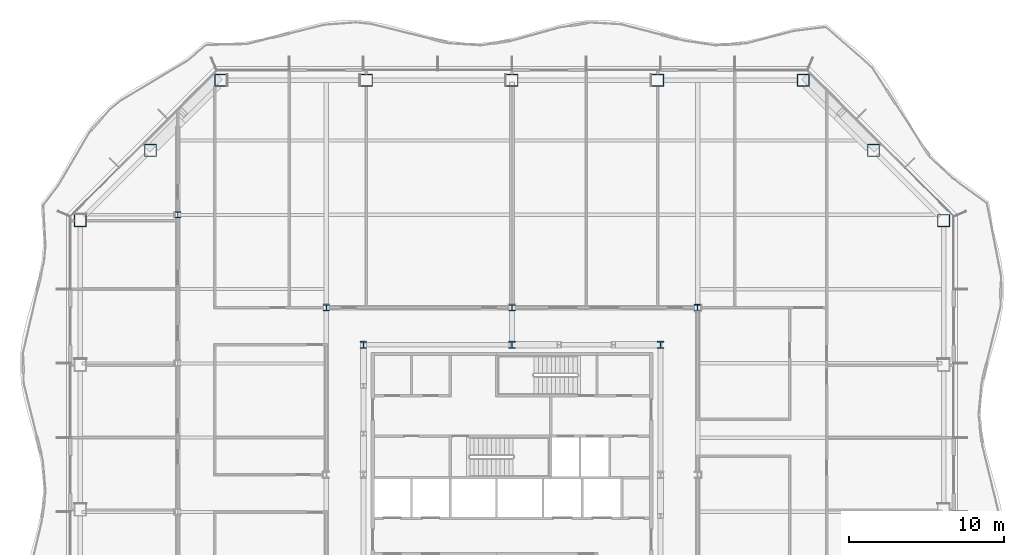
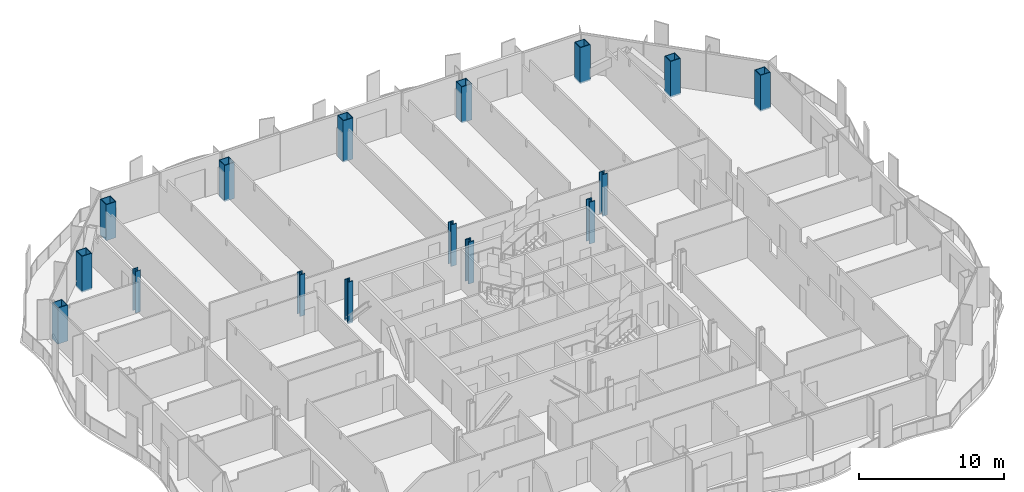
# One storey, part 2 of 23: 16 columns.
"""IFC4 building model written with IfcOpenShell, lengths in metres."""

from ifc_helpers import new_model, si_unit, direction, frame, origin, origin_2d, place, context, subcontext, project, spatial, hollow_rectangle, i_section, extrude, clip, halfspace, material, material_profile, profile_set, type_object, element, save


model = new_model("IFC4")

# Units and contexts
model_context = context("Model", 3, precision=1e-05, world=origin(), true_north=direction((0.0, 1.0)))
body_context = subcontext(model_context, "Body", "Model", "MODEL_VIEW")
ifc_project = project(units=[si_unit("LENGTHUNIT", "METRE"), si_unit("AREAUNIT", "SQUARE_METRE"), si_unit("VOLUMEUNIT", "CUBIC_METRE"), si_unit("PLANEANGLEUNIT", "RADIAN"), si_unit("MASSUNIT", "GRAM", prefix="KILO")], contexts=[model_context])

# Site, building, storey
site_placement = place(None, origin())
site = spatial("IfcSite", under=ifc_project, at=site_placement, CompositionType="ELEMENT")
building_placement = place(site_placement, origin())
building = spatial("IfcBuilding", under=site, at=building_placement, Name="Cairn Pilgrim Tower", CompositionType="ELEMENT")
storey_placement = place(building_placement, frame((0.0, 0.0, 115.800048828125)))
storey = spatial("IfcBuildingStorey", under=building, at=storey_placement, Name="L28", CompositionType="ELEMENT", Elevation=115.800048828125)

# Columns
ifc_material_1 = material(Name="Structural steel S460M", Category="steel")
ifc_material_profile_1 = material_profile(ifc_material_1, hollow_rectangle(XDim=0.800048828125, YDim=0.800048828125, WallThickness=0.050048828125, at=origin_2d()), Name="BOX 800x800x50")
ifc_profile_set_1 = profile_set([ifc_material_profile_1], Name="Structural steel S460M")
column_type_1 = type_object("IfcColumnType", Name="BOX 800x800x50", PredefinedType="COLUMN", material=ifc_profile_set_1)
for number, where, z_axis, x_axis, name in (
    (1, (35.10009765625, 18.8271484375, -0.150146484375), (0.0, 0.0, 1.0), (1.0, 0.0, 0.0), "PC1-NE1"),
    (2, (30.563720703125, 23.363525390625, -0.150146484375), (0.0, 0.0, 1.0), (1.0, 0.0, 0.0), "PC1-NE2"),
    (3, (26.027099609375, 27.89990234375, -0.150146484375), (0.0, 0.0, 1.0), (1.0, 0.0, 0.0), "PC1-N1"),
    (4, (16.613525390625, 27.89990234375, -0.150146484375), (0.0, 0.0, 1.0), (1.0, 0.0, 0.0), "PC1-N2"),
):
    element("IfcColumn", number, at=place(storey_placement, frame(where, z_axis=z_axis, x_axis=x_axis)), inside=storey, type_object=column_type_1, Name=name, PredefinedType="COLUMN", context=body_context, shape_type="Clipping", body=[
        clip(clip(extrude(hollow_rectangle(XDim=0.800048828125, YDim=0.800048828125, WallThickness=0.050048828125, at=origin_2d()), origin(), (0.0, 0.0, 1.0), 3.5), halfspace(frame((0.0, 0.0, 0.021240234375), z_axis=(0.0, 0.0, 1.0), x_axis=(1.0, 0.0, 0.0)), True)), halfspace(frame((0.0, 0.0, 3.050048828125), z_axis=(0.0, 0.0, 1.0), x_axis=(1.0, 0.0, 0.0)), False)),
    ])
column_1_placement = place(storey_placement, frame((7.199951171875, 27.89990234375, -0.150146484375), z_axis=(0.0, 0.0, 1.0), x_axis=(1.0, 0.0, 0.0)))
element("IfcColumn", 5, at=column_1_placement, inside=storey, type_object=column_type_1, Name="PC1-N3", PredefinedType="COLUMN", context=body_context, shape_type="Clipping", body=[
    clip(extrude(hollow_rectangle(XDim=0.800048828125, YDim=0.800048828125, WallThickness=0.050048828125, at=origin_2d()), origin(), (0.0, 0.0, 1.0), 3.5), halfspace(frame((0.0, 0.0, 0.021240234375), z_axis=(0.0, 0.0, 1.0), x_axis=(1.0, 0.0, 0.0)), True)),
])
for number, where, z_axis, x_axis, name in (
    (6, (-2.213623046875, 27.89990234375, -0.150146484375), (0.0, 0.0, 1.0), (1.0, 0.0, 0.0), "PC1-N4"),
    (7, (-11.627197265625, 27.89990234375, -0.150146484375), (0.0, 0.0, 1.0), (1.0, 0.0, 0.0), "PC1-NW1"),
    (8, (-16.16357421875, 23.363525390625, -0.150146484375), (0.0, 0.0, 1.0), (1.0, 0.0, 0.0), "PC1-NW2"),
    (9, (-20.699951171875, 18.8271484375, -0.150146484375), (0.0, 0.0, 1.0), (1.0, 0.0, 0.0), "PC1-W1"),
):
    element("IfcColumn", number, at=place(storey_placement, frame(where, z_axis=z_axis, x_axis=x_axis)), inside=storey, type_object=column_type_1, Name=name, PredefinedType="COLUMN", context=body_context, shape_type="Clipping", body=[
        clip(clip(extrude(hollow_rectangle(XDim=0.800048828125, YDim=0.800048828125, WallThickness=0.050048828125, at=origin_2d()), origin(), (0.0, 0.0, 1.0), 3.5), halfspace(frame((0.0, 0.0, 0.021240234375), z_axis=(0.0, 0.0, 1.0), x_axis=(1.0, 0.0, 0.0)), True)), halfspace(frame((0.0, 0.0, 3.050048828125), z_axis=(0.0, 0.0, 1.0), x_axis=(1.0, 0.0, 0.0)), False)),
    ])
ifc_material_2 = material(Name="Structural steel S355J2", Category="steel")
ifc_material_profile_2 = material_profile(ifc_material_2, i_section(OverallWidth=0.39892578125, OverallDepth=0.39306640625, WebThickness=0.022705078125, FlangeThickness=0.03662109375, FilletRadius=0.014892578125, at=origin_2d()), Name="HD 400x287")
ifc_profile_set_2 = profile_set([ifc_material_profile_2], Name="Structural steel S355J2")
column_type_2 = type_object("IfcColumnType", Name="HD 400x287", PredefinedType="COLUMN", material=ifc_profile_set_2)
column_2_placement = place(storey_placement, frame((-14.39990234375, 19.199951171875, -0.150146484375), z_axis=(0.0, 0.0, 1.0), x_axis=(1.0, 0.0, 0.0)))
element("IfcColumn", 10, at=column_2_placement, inside=storey, type_object=column_type_2, Name="WC-WW+4", PredefinedType="COLUMN", context=body_context, shape_type="SweptSolid", body=[
    extrude(i_section(OverallWidth=0.39892578125, OverallDepth=0.39306640625, WebThickness=0.022705078125, FlangeThickness=0.03662109375, FilletRadius=0.014892578125, at=origin_2d()), origin(), (0.0, 0.0, 1.0), 3.5),
])
ifc_material_profile_3 = material_profile(ifc_material_1, i_section(OverallWidth=0.408935546875, OverallDepth=0.425048828125, WebThickness=0.03271484375, FlangeThickness=0.052490234375, FilletRadius=0.014892578125, at=origin_2d()), Name="HD 400x421")
ifc_profile_set_3 = profile_set([ifc_material_profile_3], Name="Structural steel S460M")
column_type_3 = type_object("IfcColumnType", Name="HD 400x421", PredefinedType="COLUMN", material=ifc_profile_set_3)
for number, where, z_axis, x_axis, name in (
    (11, (-4.800048828125, 13.199951171875, -0.150146484375), (0.0, 0.0, 1.0), (1.0, 0.0, 0.0), "IC-6"),
    (12, (7.199951171875, 13.199951171875, -0.150146484375), (0.0, 0.0, 1.0), (1.0, 0.0, 0.0), "IC-7"),
    (13, (19.199951171875, 13.199951171875, -0.150146484375), (0.0, 0.0, 1.0), (1.0, 0.0, 0.0), "IC-8"),
):
    element("IfcColumn", number, at=place(storey_placement, frame(where, z_axis=z_axis, x_axis=x_axis)), inside=storey, type_object=column_type_3, Name=name, PredefinedType="COLUMN", context=body_context, shape_type="SweptSolid", body=[
        extrude(i_section(OverallWidth=0.408935546875, OverallDepth=0.425048828125, WebThickness=0.03271484375, FlangeThickness=0.052490234375, FilletRadius=0.014892578125, at=origin_2d()), origin(), (0.0, 0.0, 1.0), 3.5),
    ])
ifc_material_profile_4 = material_profile(ifc_material_1, i_section(OverallWidth=0.424072265625, OverallDepth=0.47412109375, WebThickness=0.047607421875, FlangeThickness=0.0771484375, FilletRadius=0.014892578125, at=origin_2d()), Name="HD 400x634")
ifc_profile_set_4 = profile_set([ifc_material_profile_4], Name="Structural steel S460M")
column_type_4 = type_object("IfcColumnType", Name="HD 400x634", PredefinedType="COLUMN", material=ifc_profile_set_4)
for number, where, z_axis, x_axis, name in (
    (14, (-2.39990234375, 10.800048828125, -0.150146484375), (0.0, 0.0, 1.0), (1.0, 0.0, 0.0), "KC-6"),
    (15, (7.199951171875, 10.800048828125, -0.150146484375), (0.0, 0.0, 1.0), (1.0, 0.0, 0.0), "KC-7"),
    (16, (16.800048828125, 10.800048828125, -0.150146484375), (0.0, 0.0, 1.0), (1.0, 0.0, 0.0), "KC-8"),
):
    element("IfcColumn", number, at=place(storey_placement, frame(where, z_axis=z_axis, x_axis=x_axis)), inside=storey, type_object=column_type_4, Name=name, PredefinedType="COLUMN", context=body_context, shape_type="SweptSolid", body=[
        extrude(i_section(OverallWidth=0.424072265625, OverallDepth=0.47412109375, WebThickness=0.047607421875, FlangeThickness=0.0771484375, FilletRadius=0.014892578125, at=origin_2d()), origin(), (0.0, 0.0, 1.0), 3.5),
    ])

save(model, "model.ifc")
